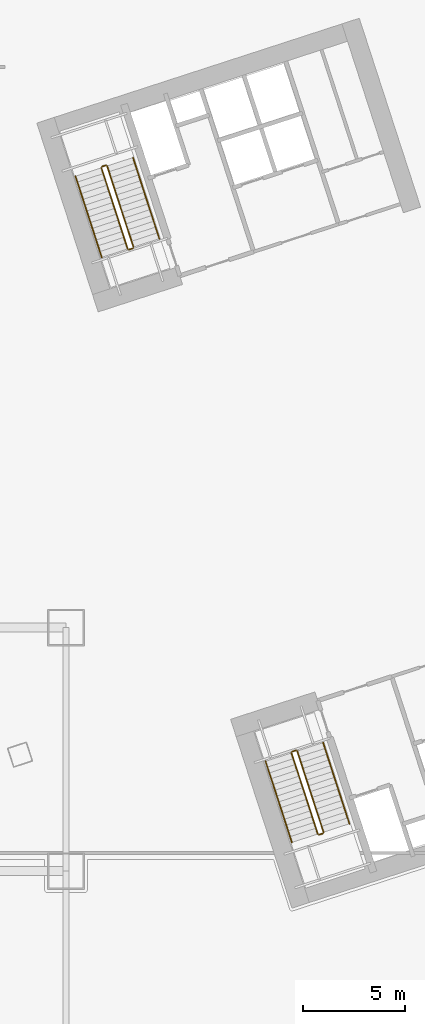
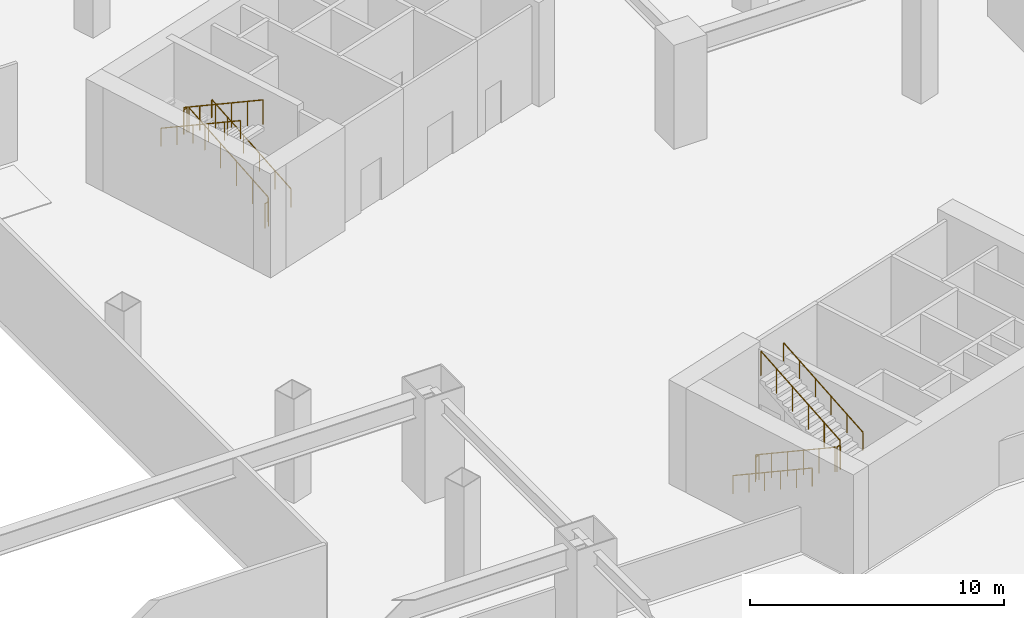
# One storey, part 34 of 35: 12 railings.
"""IFC4 building model written with IfcOpenShell, lengths in metres."""

from ifc_helpers import new_model, si_unit, direction, frame, origin, origin_2d, place, context, subcontext, project, spatial, circle, extrude, material, type_object, element, save


model = new_model("IFC4")

# Units and contexts
model_context = context("Model", 3, precision=1e-05, world=origin(), true_north=direction((0.0, 1.0)))
body_context = subcontext(model_context, "Body", "Model", "MODEL_VIEW")
ifc_project = project(units=[si_unit("LENGTHUNIT", "METRE"), si_unit("AREAUNIT", "SQUARE_METRE"), si_unit("VOLUMEUNIT", "CUBIC_METRE"), si_unit("PLANEANGLEUNIT", "RADIAN"), si_unit("MASSUNIT", "GRAM", prefix="KILO")], contexts=[model_context])

# Site, building, storey
site_placement = place(None, origin())
site = spatial("IfcSite", under=ifc_project, at=site_placement, CompositionType="ELEMENT")
building_placement = place(site_placement, origin())
building = spatial("IfcBuilding", under=site, at=building_placement, Name="Qiaolan Cultural Towers", CompositionType="ELEMENT")
storey_placement = place(building_placement, frame((0.0, 0.0, 11.5)))
storey = spatial("IfcBuildingStorey", under=building, at=storey_placement, Name="L02", CompositionType="ELEMENT", Elevation=11.5)

# Railings
ifc_material_1 = material(Name="Galvanized Painted Steel Stair Guardrail", Category="steel")
railing_type_1 = type_object("IfcRailingType", Name="RL-STAIR-GRD", PredefinedType="GUARDRAIL", material=ifc_material_1)
railing_1_placement = place(storey_placement, frame((88.60205078125, 19.82421875, 0.166748046875)))
element("IfcRailing", 1, at=railing_1_placement, inside=storey, type_object=railing_type_1, Name="L02 ST-E1 stair guard 1", PredefinedType="GUARDRAIL", context=body_context, shape_type="SweptSolid", body=[
    extrude(circle(Radius=0.02392578125, at=origin_2d()), frame((0.0, 0.0, 1.17578125), z_axis=(0.270130311876, -0.831377357524, 0.485634949322), x_axis=(0.951056706781, 0.30901640812, 0.0)), (0.0, 0.0, 1.0), 4.804443359375),
    extrude(circle(Radius=0.02099609375, at=origin_2d()), origin(), (0.0, 0.0, 1.0), 1.15185546875),
    extrude(circle(Radius=0.02099609375, at=origin_2d()), frame((0.259521484375, -0.798828125, 0.466552734375)), (0.0, 0.0, 1.0), 1.15185546875),
    extrude(circle(Radius=0.02099609375, at=origin_2d()), frame((0.51904296875, -1.59765625, 0.933349609375)), (0.0, 0.0, 1.0), 1.15185546875),
    extrude(circle(Radius=0.02099609375, at=origin_2d()), frame((0.77880859375, -2.396728515625, 1.39990234375)), (0.0, 0.0, 1.0), 1.15185546875),
    extrude(circle(Radius=0.02099609375, at=origin_2d()), frame((1.038330078125, -3.195556640625, 1.86669921875)), (0.0, 0.0, 1.0), 1.15185546875),
    extrude(circle(Radius=0.02099609375, at=origin_2d()), frame((1.2978515625, -3.994384765625, 2.333251953125)), (0.0, 0.0, 1.0), 1.15185546875),
])
railing_2_placement = place(storey_placement, frame((89.963134765625, 15.797607421875, 2.5)))
element("IfcRailing", 2, at=railing_2_placement, inside=storey, type_object=railing_type_1, Name="L02 ST-E1 stair guard 2", PredefinedType="GUARDRAIL", context=body_context, shape_type="SweptSolid", body=[
    extrude(circle(Radius=0.02392578125, at=origin_2d()), frame((0.0, 0.0, 1.17578125), z_axis=(0.951096855055, 0.308892816854, 0.0), x_axis=(-0.308892816854, 0.951096855055, 0.0)), (0.0, 0.0, 1.0), 0.199951171875),
    extrude(circle(Radius=0.02099609375, at=origin_2d()), origin(), (0.0, 0.0, 1.0), 1.15185546875),
    extrude(circle(Radius=0.02099609375, at=origin_2d()), frame((0.190185546875, 0.061767578125, 0.0)), (0.0, 0.0, 1.0), 1.15185546875),
])
railing_3_placement = place(storey_placement, frame((90.185302734375, 15.922607421875, 2.666748046875)))
element("IfcRailing", 3, at=railing_3_placement, inside=storey, type_object=railing_type_1, Name="L02 ST-E1 stair guard 3", PredefinedType="GUARDRAIL", context=body_context, shape_type="SweptSolid", body=[
    extrude(circle(Radius=0.02392578125, at=origin_2d()), frame((0.0, 0.0, 1.17578125), z_axis=(-0.270130311876, 0.831377357524, 0.485634949322), x_axis=(-0.951056706781, -0.30901640812, 0.0)), (0.0, 0.0, 1.0), 4.804443359375),
    extrude(circle(Radius=0.02099609375, at=origin_2d()), origin(), (0.0, 0.0, 1.0), 1.15185546875),
    extrude(circle(Radius=0.02099609375, at=origin_2d()), frame((-0.259521484375, 0.798828125, 0.466552734375)), (0.0, 0.0, 1.0), 1.15185546875),
    extrude(circle(Radius=0.02099609375, at=origin_2d()), frame((-0.51904296875, 1.59765625, 0.933349609375)), (0.0, 0.0, 1.0), 1.15185546875),
    extrude(circle(Radius=0.02099609375, at=origin_2d()), frame((-0.77880859375, 2.396728515625, 1.39990234375)), (0.0, 0.0, 1.0), 1.15185546875),
    extrude(circle(Radius=0.02099609375, at=origin_2d()), frame((-1.038330078125, 3.195556640625, 1.86669921875)), (0.0, 0.0, 1.0), 1.15185546875),
    extrude(circle(Radius=0.02099609375, at=origin_2d()), frame((-1.2978515625, 3.994384765625, 2.333251953125)), (0.0, 0.0, 1.0), 1.15185546875),
])
railing_4_placement = place(storey_placement, frame((88.63427734375, 19.88720703125, 0.0)))
element("IfcRailing", 4, at=railing_4_placement, inside=storey, type_object=railing_type_1, Name="L02 ST-E1 stair guard 4", PredefinedType="GUARDRAIL", context=body_context, shape_type="SweptSolid", body=[
    extrude(circle(Radius=0.02392578125, at=origin_2d()), frame((0.0, 0.0, 1.17578125), z_axis=(0.951096855055, 0.308892816854, 0.0), x_axis=(-0.308892816854, 0.951096855055, 0.0)), (0.0, 0.0, 1.0), 0.199951171875),
    extrude(circle(Radius=0.02099609375, at=origin_2d()), origin(), (0.0, 0.0, 1.0), 1.15185546875),
    extrude(circle(Radius=0.02099609375, at=origin_2d()), frame((0.190185546875, 0.061767578125, 0.0)), (0.0, 0.0, 1.0), 1.15185546875),
])
railing_5_placement = place(storey_placement, frame((80.822021484375, 44.739501953125, 0.166748046875)))
element("IfcRailing", 5, at=railing_5_placement, inside=storey, type_object=railing_type_1, Name="L02 ST-E2 stair guard 1", PredefinedType="GUARDRAIL", context=body_context, shape_type="SweptSolid", body=[
    extrude(circle(Radius=0.02392578125, at=origin_2d()), frame((0.0, 0.0, 1.17578125), z_axis=(-0.270130311876, 0.831377357524, 0.485634949322), x_axis=(-0.951056706781, -0.30901640812, 0.0)), (0.0, 0.0, 1.0), 4.804443359375),
    extrude(circle(Radius=0.02099609375, at=origin_2d()), origin(), (0.0, 0.0, 1.0), 1.15185546875),
    extrude(circle(Radius=0.02099609375, at=origin_2d()), frame((-0.259521484375, 0.798828125, 0.466552734375)), (0.0, 0.0, 1.0), 1.15185546875),
    extrude(circle(Radius=0.02099609375, at=origin_2d()), frame((-0.51904296875, 1.59765625, 0.933349609375)), (0.0, 0.0, 1.0), 1.15185546875),
    extrude(circle(Radius=0.02099609375, at=origin_2d()), frame((-0.77880859375, 2.396728515625, 1.39990234375)), (0.0, 0.0, 1.0), 1.15185546875),
    extrude(circle(Radius=0.02099609375, at=origin_2d()), frame((-1.038330078125, 3.195556640625, 1.86669921875)), (0.0, 0.0, 1.0), 1.15185546875),
    extrude(circle(Radius=0.02099609375, at=origin_2d()), frame((-1.2978515625, 3.994384765625, 2.333251953125)), (0.0, 0.0, 1.0), 1.15185546875),
])
railing_6_placement = place(storey_placement, frame((79.461181640625, 48.76611328125, 2.5)))
element("IfcRailing", 6, at=railing_6_placement, inside=storey, type_object=railing_type_1, Name="L02 ST-E2 stair guard 2", PredefinedType="GUARDRAIL", context=body_context, shape_type="SweptSolid", body=[
    extrude(circle(Radius=0.02392578125, at=origin_2d()), frame((0.0, 0.0, 1.17578125), z_axis=(-0.951096855055, -0.308892816854, 0.0), x_axis=(0.308892816854, -0.951096855055, 0.0)), (0.0, 0.0, 1.0), 0.199951171875),
    extrude(circle(Radius=0.02099609375, at=origin_2d()), origin(), (0.0, 0.0, 1.0), 1.15185546875),
    extrude(circle(Radius=0.02099609375, at=origin_2d()), frame((-0.190185546875, -0.061767578125, 0.0)), (0.0, 0.0, 1.0), 1.15185546875),
])
railing_7_placement = place(storey_placement, frame((79.239013671875, 48.641357421875, 2.666748046875)))
element("IfcRailing", 7, at=railing_7_placement, inside=storey, type_object=railing_type_1, Name="L02 ST-E2 stair guard 3", PredefinedType="GUARDRAIL", context=body_context, shape_type="SweptSolid", body=[
    extrude(circle(Radius=0.02392578125, at=origin_2d()), frame((0.0, 0.0, 1.17578125), z_axis=(0.2701189003, -0.831393048666, 0.485614433816), x_axis=(0.951062257173, 0.308999325213, 0.0)), (0.0, 0.0, 1.0), 4.8046875),
    extrude(circle(Radius=0.02099609375, at=origin_2d()), origin(), (0.0, 0.0, 1.0), 1.15185546875),
    extrude(circle(Radius=0.02099609375, at=origin_2d()), frame((0.259521484375, -0.798828125, 0.466552734375)), (0.0, 0.0, 1.0), 1.15185546875),
    extrude(circle(Radius=0.02099609375, at=origin_2d()), frame((0.51904296875, -1.597900390625, 0.933349609375)), (0.0, 0.0, 1.0), 1.15185546875),
    extrude(circle(Radius=0.02099609375, at=origin_2d()), frame((0.77880859375, -2.396728515625, 1.39990234375)), (0.0, 0.0, 1.0), 1.15185546875),
    extrude(circle(Radius=0.02099609375, at=origin_2d()), frame((1.038330078125, -3.19580078125, 1.86669921875)), (0.0, 0.0, 1.0), 1.15185546875),
    extrude(circle(Radius=0.02099609375, at=origin_2d()), frame((1.2978515625, -3.99462890625, 2.333251953125)), (0.0, 0.0, 1.0), 1.15185546875),
])
railing_8_placement = place(storey_placement, frame((80.7900390625, 44.676513671875, 0.0)))
element("IfcRailing", 8, at=railing_8_placement, inside=storey, type_object=railing_type_1, Name="L02 ST-E2 stair guard 4", PredefinedType="GUARDRAIL", context=body_context, shape_type="SweptSolid", body=[
    extrude(circle(Radius=0.02392578125, at=origin_2d()), frame((0.0, 0.0, 1.17578125), z_axis=(-0.951096855055, -0.308892816854, 0.0), x_axis=(0.308892816854, -0.951096855055, 0.0)), (0.0, 0.0, 1.0), 0.199951171875),
    extrude(circle(Radius=0.02099609375, at=origin_2d()), origin(), (0.0, 0.0, 1.0), 1.15185546875),
    extrude(circle(Radius=0.02099609375, at=origin_2d()), frame((-0.190185546875, -0.061767578125, 0.0)), (0.0, 0.0, 1.0), 1.15185546875),
])
ifc_material_2 = material(Name="Stainless Steel S30408 Tubular Handrail", Category="steel")
railing_type_2 = type_object("IfcRailingType", Name="RL-STAIR-HR", PredefinedType="HANDRAIL", material=ifc_material_2)
railing_9_placement = place(storey_placement, frame((87.32763671875, 19.41015625, 0.166748046875)))
element("IfcRailing", 9, at=railing_9_placement, inside=storey, type_object=railing_type_2, Name="L02 ST-E1 stair handrail 1", PredefinedType="HANDRAIL", context=body_context, shape_type="SweptSolid", body=[
    extrude(circle(Radius=0.02392578125, at=origin_2d()), frame((0.0, 0.0, 0.8759765625), z_axis=(0.270130311876, -0.831377357524, 0.485634949322), x_axis=(0.951056706781, 0.30901640812, 0.0)), (0.0, 0.0, 1.0), 4.804443359375),
    extrude(circle(Radius=0.02099609375, at=origin_2d()), origin(), (0.0, 0.0, 1.0), 0.851806640625),
    extrude(circle(Radius=0.02099609375, at=origin_2d()), frame((0.259521484375, -0.798828125, 0.466552734375)), (0.0, 0.0, 1.0), 0.851806640625),
    extrude(circle(Radius=0.02099609375, at=origin_2d()), frame((0.51904296875, -1.59765625, 0.933349609375)), (0.0, 0.0, 1.0), 0.851806640625),
    extrude(circle(Radius=0.02099609375, at=origin_2d()), frame((0.77880859375, -2.396728515625, 1.39990234375)), (0.0, 0.0, 1.0), 0.851806640625),
    extrude(circle(Radius=0.02099609375, at=origin_2d()), frame((1.038330078125, -3.195556640625, 1.86669921875)), (0.0, 0.0, 1.0), 0.851806640625),
    extrude(circle(Radius=0.02099609375, at=origin_2d()), frame((1.2978515625, -3.994384765625, 2.333251953125)), (0.0, 0.0, 1.0), 0.851806640625),
])
for number, where, name in (
    (10, (91.459716796875, 16.336669921875, 2.666748046875), "L02 ST-E1 stair handrail 2"),
    (11, (82.096435546875, 45.153564453125, 0.166748046875), "L02 ST-E2 stair handrail 1"),
):
    element("IfcRailing", number, at=place(storey_placement, frame(where)), inside=storey, type_object=railing_type_2, Name=name, PredefinedType="HANDRAIL", context=body_context, shape_type="SweptSolid", body=[
        extrude(circle(Radius=0.02392578125, at=origin_2d()), frame((0.0, 0.0, 0.8759765625), z_axis=(-0.270130311876, 0.831377357524, 0.485634949322), x_axis=(-0.951056706781, -0.30901640812, 0.0)), (0.0, 0.0, 1.0), 4.804443359375),
        extrude(circle(Radius=0.02099609375, at=origin_2d()), origin(), (0.0, 0.0, 1.0), 0.851806640625),
        extrude(circle(Radius=0.02099609375, at=origin_2d()), frame((-0.259521484375, 0.798828125, 0.466552734375)), (0.0, 0.0, 1.0), 0.851806640625),
        extrude(circle(Radius=0.02099609375, at=origin_2d()), frame((-0.51904296875, 1.59765625, 0.933349609375)), (0.0, 0.0, 1.0), 0.851806640625),
        extrude(circle(Radius=0.02099609375, at=origin_2d()), frame((-0.77880859375, 2.396728515625, 1.39990234375)), (0.0, 0.0, 1.0), 0.851806640625),
        extrude(circle(Radius=0.02099609375, at=origin_2d()), frame((-1.038330078125, 3.195556640625, 1.86669921875)), (0.0, 0.0, 1.0), 0.851806640625),
        extrude(circle(Radius=0.02099609375, at=origin_2d()), frame((-1.2978515625, 3.994384765625, 2.333251953125)), (0.0, 0.0, 1.0), 0.851806640625),
    ])
railing_10_placement = place(storey_placement, frame((77.964599609375, 48.22705078125, 2.666748046875)))
element("IfcRailing", 12, at=railing_10_placement, inside=storey, type_object=railing_type_2, Name="L02 ST-E2 stair handrail 2", PredefinedType="HANDRAIL", context=body_context, shape_type="SweptSolid", body=[
    extrude(circle(Radius=0.02392578125, at=origin_2d()), frame((0.0, 0.0, 0.8759765625), z_axis=(0.270130311876, -0.831377357524, 0.485634949322), x_axis=(0.951056706781, 0.30901640812, 0.0)), (0.0, 0.0, 1.0), 4.804443359375),
    extrude(circle(Radius=0.02099609375, at=origin_2d()), origin(), (0.0, 0.0, 1.0), 0.851806640625),
    extrude(circle(Radius=0.02099609375, at=origin_2d()), frame((0.259521484375, -0.798828125, 0.466552734375)), (0.0, 0.0, 1.0), 0.851806640625),
    extrude(circle(Radius=0.02099609375, at=origin_2d()), frame((0.51904296875, -1.59765625, 0.933349609375)), (0.0, 0.0, 1.0), 0.851806640625),
    extrude(circle(Radius=0.02099609375, at=origin_2d()), frame((0.77880859375, -2.396728515625, 1.39990234375)), (0.0, 0.0, 1.0), 0.851806640625),
    extrude(circle(Radius=0.02099609375, at=origin_2d()), frame((1.038330078125, -3.195556640625, 1.86669921875)), (0.0, 0.0, 1.0), 0.851806640625),
    extrude(circle(Radius=0.02099609375, at=origin_2d()), frame((1.2978515625, -3.994384765625, 2.333251953125)), (0.0, 0.0, 1.0), 0.851806640625),
])

save(model, "model.ifc")
